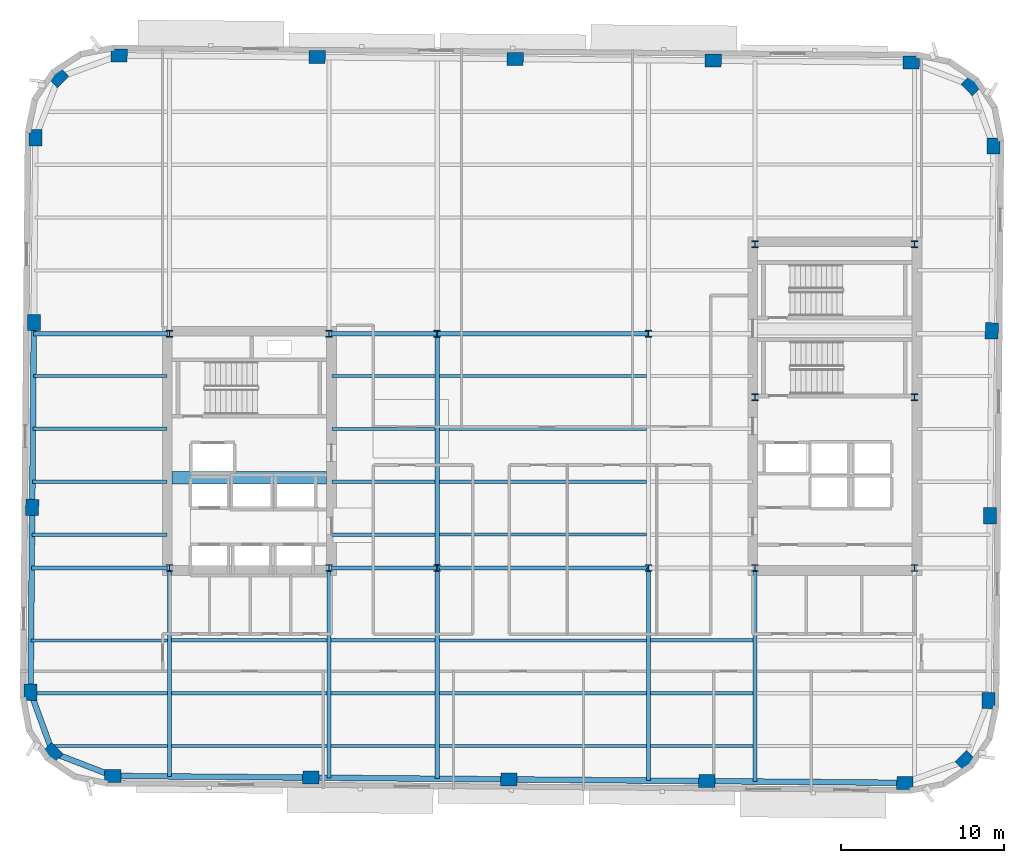
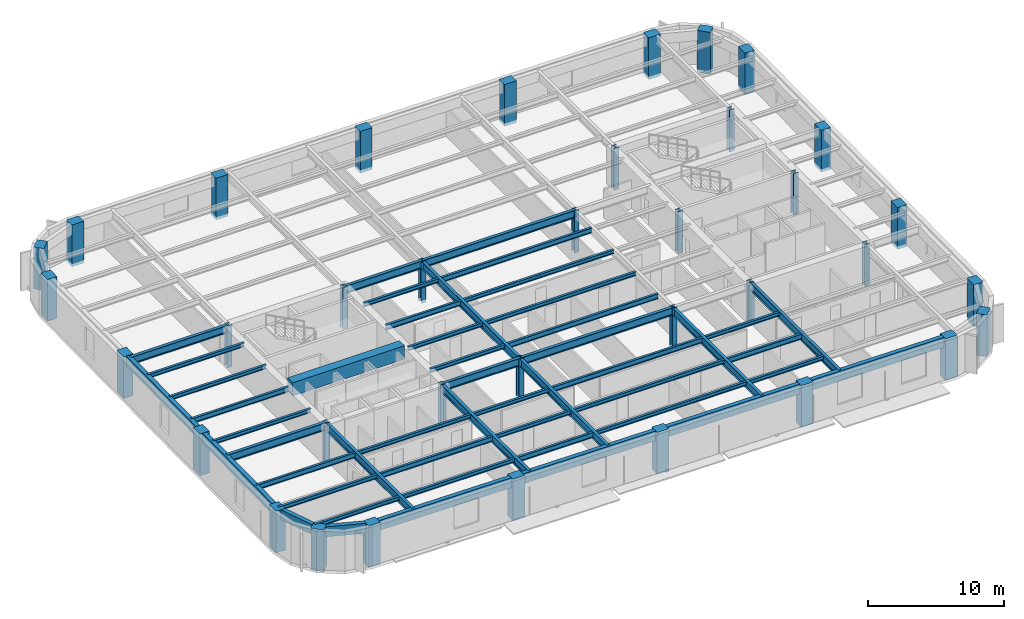
# One storey, part 1 of 12: 48 beams, 36 columns.
"""IFC4 building model written with IfcOpenShell, lengths in metres."""

from ifc_helpers import new_model, si_unit, direction, frame, origin, origin_2d, place, context, subcontext, project, spatial, rectangle, hollow_rectangle, i_section, extrude, material, material_profile, profile_set, type_object, element, save


model = new_model("IFC4")

# Units and contexts
model_context = context("Model", 3, precision=1e-05, world=origin(), true_north=direction((0.0, 1.0)))
body_context = subcontext(model_context, "Body", "Model", "MODEL_VIEW")
ifc_project = project(units=[si_unit("LENGTHUNIT", "METRE"), si_unit("AREAUNIT", "SQUARE_METRE"), si_unit("VOLUMEUNIT", "CUBIC_METRE"), si_unit("PLANEANGLEUNIT", "RADIAN"), si_unit("MASSUNIT", "GRAM", prefix="KILO")], contexts=[model_context])

# Site, building, storey
site_placement = place(None, origin())
site = spatial("IfcSite", under=ifc_project, at=site_placement, CompositionType="ELEMENT")
building_placement = place(site_placement, origin())
building = spatial("IfcBuilding", under=site, at=building_placement, Name="Kolvaren Arena Tower", CompositionType="ELEMENT")
storey_placement = place(building_placement, frame((0.0, 0.0, 199.699951171875)))
storey = spatial("IfcBuildingStorey", under=building, at=storey_placement, Name="L48", CompositionType="ELEMENT", Elevation=199.699951171875)

# Columns
ifc_material_1 = material(Name="Precast concrete C60/75", Category="concrete")
ifc_material_profile_1 = material_profile(ifc_material_1, rectangle(XDim=1.0, YDim=0.800048828125, at=origin_2d()), Name="RC-1000x800")
ifc_profile_set_1 = profile_set([ifc_material_profile_1], Name="Precast concrete C60/75")
column_type_1 = type_object("IfcColumnType", Name="EXCOL-Z3", PredefinedType="COLUMN", material=ifc_profile_set_1)
for number, where, z_axis, x_axis, name in (
    (1, (11.0576171875, 6.663330078125, -0.27001953125), (0.0, 0.0, 1.0), (0.999961923064, -0.008726535498, 0.0), "Exoskeleton Perimeter Column 01 (L48)"),
    (2, (23.232177734375, 6.55712890625, -0.27001953125), (0.0, 0.0, 1.0), (0.999961923064, -0.008726535498, 0.0), "Exoskeleton Perimeter Column 02 (L48)"),
    (3, (35.40673828125, 6.45068359375, -0.27001953125), (0.0, 0.0, 1.0), (0.999961923064, -0.008726535498, 0.0), "Exoskeleton Perimeter Column 03 (L48)"),
    (4, (47.581298828125, 6.344482421875, -0.27001953125), (0.0, 0.0, 1.0), (0.999961923064, -0.008726535498, 0.0), "Exoskeleton Perimeter Column 04 (L48)"),
    (5, (59.755859375, 6.23828125, -0.27001953125), (0.0, 0.0, 1.0), (0.999961923064, -0.008726535498, 0.0), "Exoskeleton Perimeter Column 05 (L48)"),
    (6, (63.4765625, 7.59716796875, -0.27001953125), (0.0, 0.0, 1.0), (0.713250449154, 0.7009092643, 0.0), "Exoskeleton Perimeter Column 06 (L48)"),
    (7, (64.900146484375, 11.293701171875, -0.27001953125), (0.0, 0.0, 1.0), (0.008726535498, 0.999961923064, 0.0), "Exoskeleton Perimeter Column 07 (L48)"),
    (8, (64.999267578125, 22.659912109375, -0.27001953125), (0.0, 0.0, 1.0), (0.008726535498, 0.999961923064, 0.0), "Exoskeleton Perimeter Column 08 (L48)"),
    (9, (65.098388671875, 34.026123046875, -0.27001953125), (0.0, 0.0, 1.0), (0.008726535498, 0.999961923064, 0.0), "Exoskeleton Perimeter Column 09 (L48)"),
    (10, (65.19775390625, 45.392333984375, -0.27001953125), (0.0, 0.0, 1.0), (0.008726535498, 0.999961923064, 0.0), "Exoskeleton Perimeter Column 10 (L48)"),
    (11, (63.8388671875, 49.113037109375, -0.27001953125), (0.0, 0.0, 1.0), (-0.7009092643, 0.713250449154, 0.0), "Exoskeleton Perimeter Column 11 (L48)"),
    (12, (60.142333984375, 50.53662109375, -0.27001953125), (0.0, 0.0, 1.0), (0.999961923064, -0.008726535498, 0.0), "Exoskeleton Perimeter Column 12 (L48)"),
    (13, (47.9677734375, 50.642822265625, -0.27001953125), (0.0, 0.0, 1.0), (0.999961923064, -0.008726535498, 0.0), "Exoskeleton Perimeter Column 13 (L48)"),
    (14, (35.793212890625, 50.749267578125, -0.27001953125), (0.0, 0.0, 1.0), (0.999961923064, -0.008726535498, 0.0), "Exoskeleton Perimeter Column 14 (L48)"),
    (15, (23.618896484375, 50.85546875, -0.27001953125), (0.0, 0.0, 1.0), (0.999961923064, -0.008726535498, 0.0), "Exoskeleton Perimeter Column 15 (L48)"),
    (16, (11.444091796875, 50.961669921875, -0.27001953125), (0.0, 0.0, 1.0), (0.999961923064, -0.008726535498, 0.0), "Exoskeleton Perimeter Column 16 (L48)"),
    (17, (7.723388671875, 49.602783203125, -0.27001953125), (0.0, 0.0, 1.0), (0.713250449154, 0.7009092643, 0.0), "Exoskeleton Perimeter Column 17 (L48)"),
    (18, (6.2998046875, 45.90625, -0.27001953125), (0.0, 0.0, 1.0), (0.008726535498, 0.999961923064, 0.0), "Exoskeleton Perimeter Column 18 (L48)"),
    (19, (6.20068359375, 34.5400390625, -0.27001953125), (0.0, 0.0, 1.0), (0.008726535498, 0.999961923064, 0.0), "Exoskeleton Perimeter Column 19 (L48)"),
    (20, (6.1015625, 23.173828125, -0.27001953125), (0.0, 0.0, 1.0), (0.008726535498, 0.999961923064, 0.0), "Exoskeleton Perimeter Column 20 (L48)"),
    (21, (6.002197265625, 11.8076171875, -0.27001953125), (0.0, 0.0, 1.0), (0.008726535498, 0.999961923064, 0.0), "Exoskeleton Perimeter Column 21 (L48)"),
    (22, (7.361083984375, 8.0869140625, -0.27001953125), (0.0, 0.0, 1.0), (-0.7009092643, 0.713250449154, 0.0), "Exoskeleton Perimeter Column 22 (L48)"),
):
    element("IfcColumn", number, at=place(storey_placement, frame(where, z_axis=z_axis, x_axis=x_axis)), inside=storey, type_object=column_type_1, Name=name, PredefinedType="COLUMN", context=body_context, shape_type="SweptSolid", body=[
        extrude(rectangle(XDim=1.0, YDim=0.800048828125, at=origin_2d()), origin(), (0.0, 0.0, 1.0), 3.75),
    ])
ifc_material_2 = material(Name="Steel ASTM A913 Grade 65", Category="steel")
ifc_material_profile_2 = material_profile(ifc_material_2, i_section(OverallWidth=0.406005859375, OverallDepth=0.416015625, WebThickness=0.02978515625, FlangeThickness=0.048095703125, FilletRadius=0.02001953125, at=origin_2d()), Name="W360x382")
ifc_profile_set_2 = profile_set([ifc_material_profile_2], Name="Steel ASTM A913 Grade 65")
column_type_2 = type_object("IfcColumnType", Name="SCOL-Z3", PredefinedType="COLUMN", material=ifc_profile_set_2)
for number, where, z_axis, x_axis, name in (
    (23, (14.550048828125, 19.449951171875, -0.27001953125), (0.0, 0.0, 1.0), (1.0, 0.0, 0.0), "Core Boundary Column WC-SW (L48)"),
    (24, (24.35009765625, 19.449951171875, -0.27001953125), (0.0, 0.0, 1.0), (1.0, 0.0, 0.0), "Core Boundary Column WC-SE (L48)"),
    (25, (14.550048828125, 33.85009765625, -0.27001953125), (0.0, 0.0, 1.0), (1.0, 0.0, 0.0), "Core Boundary Column WC-NW (L48)"),
    (26, (24.35009765625, 33.85009765625, -0.27001953125), (0.0, 0.0, 1.0), (1.0, 0.0, 0.0), "Core Boundary Column WC-NE (L48)"),
    (27, (50.550048828125, 19.449951171875, -0.27001953125), (0.0, 0.0, 1.0), (1.0, 0.0, 0.0), "Core Boundary Column EC-SW (L48)"),
    (28, (60.35009765625, 19.449951171875, -0.27001953125), (0.0, 0.0, 1.0), (1.0, 0.0, 0.0), "Core Boundary Column EC-SE (L48)"),
    (29, (50.550048828125, 29.949951171875, -0.27001953125), (0.0, 0.0, 1.0), (1.0, 0.0, 0.0), "Core Boundary Column EC-MW (L48)"),
    (30, (60.35009765625, 29.949951171875, -0.27001953125), (0.0, 0.0, 1.0), (1.0, 0.0, 0.0), "Core Boundary Column EC-ME (L48)"),
    (31, (50.550048828125, 39.35009765625, -0.27001953125), (0.0, 0.0, 1.0), (1.0, 0.0, 0.0), "Core Boundary Column EC-NW (L48)"),
    (32, (60.35009765625, 39.35009765625, -0.27001953125), (0.0, 0.0, 1.0), (1.0, 0.0, 0.0), "Core Boundary Column EC-NE (L48)"),
    (33, (31.0, 19.449951171875, -0.27001953125), (0.0, 0.0, 1.0), (1.0, 0.0, 0.0), "Interior Gravity Column TC-SW (L48)"),
    (34, (44.0, 19.449951171875, -0.27001953125), (0.0, 0.0, 1.0), (1.0, 0.0, 0.0), "Interior Gravity Column TC-SE (L48)"),
    (35, (31.0, 33.85009765625, -0.27001953125), (0.0, 0.0, 1.0), (1.0, 0.0, 0.0), "Interior Gravity Column TC-NW (L48)"),
    (36, (44.0, 33.85009765625, -0.27001953125), (0.0, 0.0, 1.0), (1.0, 0.0, 0.0), "Interior Gravity Column TC-NE (L48)"),
):
    element("IfcColumn", number, at=place(storey_placement, frame(where, z_axis=z_axis, x_axis=x_axis)), inside=storey, type_object=column_type_2, Name=name, PredefinedType="COLUMN", context=body_context, shape_type="SweptSolid", body=[
        extrude(i_section(OverallWidth=0.406005859375, OverallDepth=0.416015625, WebThickness=0.02978515625, FlangeThickness=0.048095703125, FilletRadius=0.02001953125, at=origin_2d()), origin(), (0.0, 0.0, 1.0), 3.75),
    ])

# Beams
ifc_material_3 = material(Name="Steel CSA G40.21 350W", Category="steel")
ifc_material_profile_3 = material_profile(ifc_material_3, i_section(OverallWidth=0.193115234375, OverallDepth=0.462890625, WebThickness=0.0107421875, FlangeThickness=0.0205078125, FilletRadius=0.012939453125, at=origin_2d()), Name="W460x113")
ifc_profile_set_3 = profile_set([ifc_material_profile_3], Name="Steel CSA G40.21 350W")
beam_type_1 = type_object("IfcBeamType", Name="BEAM-F2", PredefinedType="BEAM", material=ifc_profile_set_3)
beam_1_placement = place(storey_placement, frame((24.4775390625, 8.5, 3.24853515625), z_axis=(1.0, 0.0, 0.0), x_axis=(0.0, 1.0, 0.0)))
element("IfcBeam", 37, at=beam_1_placement, inside=storey, type_object=beam_type_1, Name="Composite Floor Beam (L48)", PredefinedType="BEAM", context=body_context, shape_type="SweptSolid", body=[
    extrude(i_section(OverallWidth=0.193115234375, OverallDepth=0.462890625, WebThickness=0.0107421875, FlangeThickness=0.0205078125, FilletRadius=0.012939453125, at=origin_2d()), origin(), (0.0, 0.0, 1.0), 6.39501953125),
])
beam_2_placement = place(storey_placement, frame((14.677490234375, 11.75, 3.24853515625), z_axis=(1.0, 0.0, 0.0), x_axis=(0.0, 1.0, 0.0)))
element("IfcBeam", 38, at=beam_2_placement, inside=storey, type_object=beam_type_1, Name="Composite Floor Beam (L48)", PredefinedType="BEAM", context=body_context, shape_type="SweptSolid", body=[
    extrude(i_section(OverallWidth=0.193115234375, OverallDepth=0.462890625, WebThickness=0.0107421875, FlangeThickness=0.0205078125, FilletRadius=0.012939453125, at=origin_2d()), origin(), (0.0, 0.0, 1.0), 9.544921875),
])
beam_3_placement = place(storey_placement, frame((44.12744140625, 11.75, 3.24853515625), z_axis=(1.0, 0.0, 0.0), x_axis=(0.0, 1.0, 0.0)))
element("IfcBeam", 39, at=beam_3_placement, inside=storey, type_object=beam_type_1, Name="Composite Floor Beam (L48)", PredefinedType="BEAM", context=body_context, shape_type="SweptSolid", body=[
    extrude(i_section(OverallWidth=0.193115234375, OverallDepth=0.462890625, WebThickness=0.0107421875, FlangeThickness=0.0205078125, FilletRadius=0.012939453125, at=origin_2d()), origin(), (0.0, 0.0, 1.0), 6.295166015625),
])
beam_4_placement = place(storey_placement, frame((6.0302734375, 15.0, 3.24853515625), z_axis=(1.0, 0.0, 0.0), x_axis=(0.0, 1.0, 0.0)))
element("IfcBeam", 40, at=beam_4_placement, inside=storey, type_object=beam_type_1, Name="Composite Floor Beam (L48)", PredefinedType="BEAM", context=body_context, shape_type="SweptSolid", body=[
    extrude(i_section(OverallWidth=0.193115234375, OverallDepth=0.462890625, WebThickness=0.0107421875, FlangeThickness=0.0205078125, FilletRadius=0.012939453125, at=origin_2d()), origin(), (0.0, 0.0, 1.0), 8.392333984375),
])
for number, where, z_axis, x_axis, name in (
    (41, (31.12744140625, 15.0, 3.24853515625), (1.0, 0.0, 0.0), (0.0, 1.0, 0.0), "Composite Floor Beam (L48)"),
    (42, (31.12744140625, 21.5, 3.24853515625), (1.0, 0.0, 0.0), (0.0, 1.0, 0.0), "Composite Floor Beam (L48)"),
):
    element("IfcBeam", number, at=place(storey_placement, frame(where, z_axis=z_axis, x_axis=x_axis)), inside=storey, type_object=beam_type_1, Name=name, PredefinedType="BEAM", context=body_context, shape_type="SweptSolid", body=[
        extrude(i_section(OverallWidth=0.193115234375, OverallDepth=0.462890625, WebThickness=0.0107421875, FlangeThickness=0.0205078125, FilletRadius=0.012939453125, at=origin_2d()), origin(), (0.0, 0.0, 1.0), 12.7451171875),
    ])
beam_5_placement = place(storey_placement, frame((6.115234375, 24.75, 3.24853515625), z_axis=(1.0, 0.0, 0.0), x_axis=(0.0, 1.0, 0.0)))
element("IfcBeam", 43, at=beam_5_placement, inside=storey, type_object=beam_type_1, Name="Composite Floor Beam (L48)", PredefinedType="BEAM", context=body_context, shape_type="SweptSolid", body=[
    extrude(i_section(OverallWidth=0.193115234375, OverallDepth=0.462890625, WebThickness=0.0107421875, FlangeThickness=0.0205078125, FilletRadius=0.012939453125, at=origin_2d()), origin(), (0.0, 0.0, 1.0), 8.2646484375),
])
beam_6_placement = place(storey_placement, frame((24.52001953125, 28.0, 3.24853515625), z_axis=(1.0, 0.0, 0.0), x_axis=(0.0, 1.0, 0.0)))
element("IfcBeam", 44, at=beam_6_placement, inside=storey, type_object=beam_type_1, Name="Composite Floor Beam (L48)", PredefinedType="BEAM", context=body_context, shape_type="SweptSolid", body=[
    extrude(i_section(OverallWidth=0.193115234375, OverallDepth=0.462890625, WebThickness=0.0107421875, FlangeThickness=0.0205078125, FilletRadius=0.012939453125, at=origin_2d()), origin(), (0.0, 0.0, 1.0), 6.3525390625),
])
beam_7_placement = place(storey_placement, frame((31.12744140625, 31.25, 3.24853515625), z_axis=(1.0, 0.0, 0.0), x_axis=(0.0, 1.0, 0.0)))
element("IfcBeam", 45, at=beam_7_placement, inside=storey, type_object=beam_type_1, Name="Composite Floor Beam (L48)", PredefinedType="BEAM", context=body_context, shape_type="SweptSolid", body=[
    extrude(i_section(OverallWidth=0.193115234375, OverallDepth=0.462890625, WebThickness=0.0107421875, FlangeThickness=0.0205078125, FilletRadius=0.012939453125, at=origin_2d()), origin(), (0.0, 0.0, 1.0), 12.7451171875),
])
ifc_material_4 = material(Name="Concrete 60 MPa", Category="concrete")
ifc_material_profile_4 = material_profile(ifc_material_4, rectangle(XDim=0.75, YDim=1.199951171875, at=origin_2d()), Name="RC-750x1200")
ifc_profile_set_4 = profile_set([ifc_material_profile_4], Name="Concrete 60 MPa")
beam_type_2 = type_object("IfcBeamType", Name="CB-CORE-2", PredefinedType="BEAM", material=ifc_profile_set_4)
beam_8_placement = place(storey_placement, frame((14.699951171875, 25.0, 3.150146484375), z_axis=(1.0, 0.0, 0.0), x_axis=(0.0, 1.0, 0.0)))
element("IfcBeam", 46, at=beam_8_placement, inside=storey, type_object=beam_type_2, Name="West Core Coupling Beam (L48)", PredefinedType="BEAM", context=body_context, shape_type="SweptSolid", body=[
    extrude(rectangle(XDim=0.75, YDim=1.199951171875, at=origin_2d()), origin(), (0.0, 0.0, 1.0), 9.5),
])
ifc_material_profile_5 = material_profile(ifc_material_3, i_section(OverallWidth=0.2548828125, OverallDepth=0.695068359375, WebThickness=0.01708984375, FlangeThickness=0.02978515625, FilletRadius=0.01611328125, at=origin_2d()), Name="W690x217")
ifc_profile_set_5 = profile_set([ifc_material_profile_5], Name="Steel CSA G40.21 350W")
beam_type_3 = type_object("IfcBeamType", Name="GIRD-T2", PredefinedType="BEAM", material=ifc_profile_set_5)
beam_9_placement = place(storey_placement, frame((6.069091796875, 19.449951171875, 3.132568359375), z_axis=(1.0, 0.0, 0.0), x_axis=(0.0, 1.0, 0.0)))
element("IfcBeam", 47, at=beam_9_placement, inside=storey, type_object=beam_type_3, Name="Primary Floor Girder (L48)", PredefinedType="BEAM", context=body_context, shape_type="SweptSolid", body=[
    extrude(i_section(OverallWidth=0.2548828125, OverallDepth=0.695068359375, WebThickness=0.01708984375, FlangeThickness=0.02978515625, FilletRadius=0.01611328125, at=origin_2d()), origin(), (0.0, 0.0, 1.0), 8.350830078125),
])
beam_10_placement = place(storey_placement, frame((24.47998046875, 19.449951171875, 3.132568359375), z_axis=(1.0, 0.0, 0.0), x_axis=(0.0, 1.0, 0.0)))
element("IfcBeam", 48, at=beam_10_placement, inside=storey, type_object=beam_type_3, Name="Primary Floor Girder (L48)", PredefinedType="BEAM", context=body_context, shape_type="SweptSolid", body=[
    extrude(i_section(OverallWidth=0.2548828125, OverallDepth=0.695068359375, WebThickness=0.01708984375, FlangeThickness=0.02978515625, FilletRadius=0.01611328125, at=origin_2d()), origin(), (0.0, 0.0, 1.0), 6.52001953125),
])
beam_11_placement = place(storey_placement, frame((31.0, 19.449951171875, 3.132568359375), z_axis=(1.0, 0.0, 0.0), x_axis=(0.0, 1.0, 0.0)))
element("IfcBeam", 49, at=beam_11_placement, inside=storey, type_object=beam_type_3, Name="Primary Floor Girder (L48)", PredefinedType="BEAM", context=body_context, shape_type="SweptSolid", body=[
    extrude(i_section(OverallWidth=0.2548828125, OverallDepth=0.695068359375, WebThickness=0.01708984375, FlangeThickness=0.02978515625, FilletRadius=0.01611328125, at=origin_2d()), origin(), (0.0, 0.0, 1.0), 13.0),
])
beam_12_placement = place(storey_placement, frame((6.194580078125, 33.85009765625, 3.132568359375), z_axis=(1.0, 0.0, 0.0), x_axis=(0.0, 1.0, 0.0)))
element("IfcBeam", 50, at=beam_12_placement, inside=storey, type_object=beam_type_3, Name="Primary Floor Girder (L48)", PredefinedType="BEAM", context=body_context, shape_type="SweptSolid", body=[
    extrude(i_section(OverallWidth=0.2548828125, OverallDepth=0.695068359375, WebThickness=0.01708984375, FlangeThickness=0.02978515625, FilletRadius=0.01611328125, at=origin_2d()), origin(), (0.0, 0.0, 1.0), 8.225341796875),
])
beam_13_placement = place(storey_placement, frame((24.47998046875, 33.85009765625, 3.132568359375), z_axis=(1.0, 0.0, 0.0), x_axis=(0.0, 1.0, 0.0)))
element("IfcBeam", 51, at=beam_13_placement, inside=storey, type_object=beam_type_3, Name="Primary Floor Girder (L48)", PredefinedType="BEAM", context=body_context, shape_type="SweptSolid", body=[
    extrude(i_section(OverallWidth=0.2548828125, OverallDepth=0.695068359375, WebThickness=0.01708984375, FlangeThickness=0.02978515625, FilletRadius=0.01611328125, at=origin_2d()), origin(), (0.0, 0.0, 1.0), 6.52001953125),
])
beam_14_placement = place(storey_placement, frame((31.0, 33.85009765625, 3.132568359375), z_axis=(1.0, 0.0, 0.0), x_axis=(0.0, 1.0, 0.0)))
element("IfcBeam", 52, at=beam_14_placement, inside=storey, type_object=beam_type_3, Name="Primary Floor Girder (L48)", PredefinedType="BEAM", context=body_context, shape_type="SweptSolid", body=[
    extrude(i_section(OverallWidth=0.2548828125, OverallDepth=0.695068359375, WebThickness=0.01708984375, FlangeThickness=0.02978515625, FilletRadius=0.01611328125, at=origin_2d()), origin(), (0.0, 0.0, 1.0), 13.0),
])
beam_15_placement = place(storey_placement, frame((14.550048828125, 6.6328125, 3.132568359375), z_axis=(0.0, 1.0, 0.0), x_axis=(-1.0, 0.0, 0.0)))
element("IfcBeam", 53, at=beam_15_placement, inside=storey, type_object=beam_type_3, Name="Primary Floor Girder (L48)", PredefinedType="BEAM", context=body_context, shape_type="SweptSolid", body=[
    extrude(i_section(OverallWidth=0.2548828125, OverallDepth=0.695068359375, WebThickness=0.01708984375, FlangeThickness=0.02978515625, FilletRadius=0.01611328125, at=origin_2d()), origin(), (0.0, 0.0, 1.0), 12.687255859375),
])
beam_16_placement = place(storey_placement, frame((24.35009765625, 6.54736328125, 3.132568359375), z_axis=(0.0, 1.0, 0.0), x_axis=(-1.0, 0.0, 0.0)))
element("IfcBeam", 54, at=beam_16_placement, inside=storey, type_object=beam_type_3, Name="Primary Floor Girder (L48)", PredefinedType="BEAM", context=body_context, shape_type="SweptSolid", body=[
    extrude(i_section(OverallWidth=0.2548828125, OverallDepth=0.695068359375, WebThickness=0.01708984375, FlangeThickness=0.02978515625, FilletRadius=0.01611328125, at=origin_2d()), origin(), (0.0, 0.0, 1.0), 12.772705078125),
])
beam_17_placement = place(storey_placement, frame((31.0, 6.4892578125, 3.132568359375), z_axis=(0.0, 1.0, 0.0), x_axis=(-1.0, 0.0, 0.0)))
element("IfcBeam", 55, at=beam_17_placement, inside=storey, type_object=beam_type_3, Name="Primary Floor Girder (L48)", PredefinedType="BEAM", context=body_context, shape_type="SweptSolid", body=[
    extrude(i_section(OverallWidth=0.2548828125, OverallDepth=0.695068359375, WebThickness=0.01708984375, FlangeThickness=0.02978515625, FilletRadius=0.01611328125, at=origin_2d()), origin(), (0.0, 0.0, 1.0), 12.960693359375),
])
beam_18_placement = place(storey_placement, frame((31.0, 19.449951171875, 3.132568359375), z_axis=(0.0, 1.0, 0.0), x_axis=(-1.0, 0.0, 0.0)))
element("IfcBeam", 56, at=beam_18_placement, inside=storey, type_object=beam_type_3, Name="Primary Floor Girder (L48)", PredefinedType="BEAM", context=body_context, shape_type="SweptSolid", body=[
    extrude(i_section(OverallWidth=0.2548828125, OverallDepth=0.695068359375, WebThickness=0.01708984375, FlangeThickness=0.02978515625, FilletRadius=0.01611328125, at=origin_2d()), origin(), (0.0, 0.0, 1.0), 14.400146484375),
])
beam_19_placement = place(storey_placement, frame((44.0, 6.375732421875, 3.132568359375), z_axis=(0.0, 1.0, 0.0), x_axis=(-1.0, 0.0, 0.0)))
element("IfcBeam", 57, at=beam_19_placement, inside=storey, type_object=beam_type_3, Name="Primary Floor Girder (L48)", PredefinedType="BEAM", context=body_context, shape_type="SweptSolid", body=[
    extrude(i_section(OverallWidth=0.2548828125, OverallDepth=0.695068359375, WebThickness=0.01708984375, FlangeThickness=0.02978515625, FilletRadius=0.01611328125, at=origin_2d()), origin(), (0.0, 0.0, 1.0), 13.07421875),
])
beam_20_placement = place(storey_placement, frame((50.550048828125, 6.318603515625, 3.132568359375), z_axis=(0.0, 1.0, 0.0), x_axis=(-1.0, 0.0, 0.0)))
element("IfcBeam", 58, at=beam_20_placement, inside=storey, type_object=beam_type_3, Name="Primary Floor Girder (L48)", PredefinedType="BEAM", context=body_context, shape_type="SweptSolid", body=[
    extrude(i_section(OverallWidth=0.2548828125, OverallDepth=0.695068359375, WebThickness=0.01708984375, FlangeThickness=0.02978515625, FilletRadius=0.01611328125, at=origin_2d()), origin(), (0.0, 0.0, 1.0), 13.00146484375),
])
ifc_material_profile_6 = material_profile(ifc_material_3, i_section(OverallWidth=0.202880859375, OverallDepth=0.346923828125, WebThickness=0.0078125, FlangeThickness=0.013427734375, FilletRadius=0.010986328125, at=origin_2d()), Name="W360x64")
ifc_profile_set_6 = profile_set([ifc_material_profile_6], Name="Steel CSA G40.21 350W")
beam_type_4 = type_object("IfcBeamType", Name="JOIST-01", PredefinedType="JOIST", material=ifc_profile_set_6)
beam_21_placement = place(storey_placement, frame((7.210205078125, 8.5, 3.306640625), z_axis=(1.0, 0.0, 0.0), x_axis=(0.0, 1.0, 0.0)))
element("IfcBeam", 59, at=beam_21_placement, inside=storey, type_object=beam_type_4, Name="Composite Floor Joist (L48)", PredefinedType="JOIST", context=body_context, shape_type="SweptSolid", body=[
    extrude(i_section(OverallWidth=0.202880859375, OverallDepth=0.346923828125, WebThickness=0.0078125, FlangeThickness=0.013427734375, FilletRadius=0.010986328125, at=origin_2d()), origin(), (0.0, 0.0, 1.0), 7.21240234375),
])
beam_22_placement = place(storey_placement, frame((14.677490234375, 8.5, 3.306640625), z_axis=(1.0, 0.0, 0.0), x_axis=(0.0, 1.0, 0.0)))
element("IfcBeam", 60, at=beam_22_placement, inside=storey, type_object=beam_type_4, Name="Composite Floor Joist (L48)", PredefinedType="JOIST", context=body_context, shape_type="SweptSolid", body=[
    extrude(i_section(OverallWidth=0.202880859375, OverallDepth=0.346923828125, WebThickness=0.0078125, FlangeThickness=0.013427734375, FilletRadius=0.010986328125, at=origin_2d()), origin(), (0.0, 0.0, 1.0), 9.544921875),
])
beam_23_placement = place(storey_placement, frame((31.12744140625, 8.5, 3.306640625), z_axis=(1.0, 0.0, 0.0), x_axis=(0.0, 1.0, 0.0)))
element("IfcBeam", 61, at=beam_23_placement, inside=storey, type_object=beam_type_4, Name="Composite Floor Joist (L48)", PredefinedType="JOIST", context=body_context, shape_type="SweptSolid", body=[
    extrude(i_section(OverallWidth=0.202880859375, OverallDepth=0.346923828125, WebThickness=0.0078125, FlangeThickness=0.013427734375, FilletRadius=0.010986328125, at=origin_2d()), origin(), (0.0, 0.0, 1.0), 12.7451171875),
])
beam_24_placement = place(storey_placement, frame((44.12744140625, 8.5, 3.306640625), z_axis=(1.0, 0.0, 0.0), x_axis=(0.0, 1.0, 0.0)))
element("IfcBeam", 62, at=beam_24_placement, inside=storey, type_object=beam_type_4, Name="Composite Floor Joist (L48)", PredefinedType="JOIST", context=body_context, shape_type="SweptSolid", body=[
    extrude(i_section(OverallWidth=0.202880859375, OverallDepth=0.346923828125, WebThickness=0.0078125, FlangeThickness=0.013427734375, FilletRadius=0.010986328125, at=origin_2d()), origin(), (0.0, 0.0, 1.0), 6.295166015625),
])
beam_25_placement = place(storey_placement, frame((6.023193359375, 11.75, 3.306640625), z_axis=(1.0, 0.0, 0.0), x_axis=(0.0, 1.0, 0.0)))
element("IfcBeam", 63, at=beam_25_placement, inside=storey, type_object=beam_type_4, Name="Composite Floor Joist (L48)", PredefinedType="JOIST", context=body_context, shape_type="SweptSolid", body=[
    extrude(i_section(OverallWidth=0.202880859375, OverallDepth=0.346923828125, WebThickness=0.0078125, FlangeThickness=0.013427734375, FilletRadius=0.010986328125, at=origin_2d()), origin(), (0.0, 0.0, 1.0), 8.3994140625),
])
beam_26_placement = place(storey_placement, frame((24.4775390625, 11.75, 3.306640625), z_axis=(1.0, 0.0, 0.0), x_axis=(0.0, 1.0, 0.0)))
element("IfcBeam", 64, at=beam_26_placement, inside=storey, type_object=beam_type_4, Name="Composite Floor Joist (L48)", PredefinedType="JOIST", context=body_context, shape_type="SweptSolid", body=[
    extrude(i_section(OverallWidth=0.202880859375, OverallDepth=0.346923828125, WebThickness=0.0078125, FlangeThickness=0.013427734375, FilletRadius=0.010986328125, at=origin_2d()), origin(), (0.0, 0.0, 1.0), 6.39501953125),
])
beam_27_placement = place(storey_placement, frame((31.12744140625, 11.75, 3.306640625), z_axis=(1.0, 0.0, 0.0), x_axis=(0.0, 1.0, 0.0)))
element("IfcBeam", 65, at=beam_27_placement, inside=storey, type_object=beam_type_4, Name="Composite Floor Joist (L48)", PredefinedType="JOIST", context=body_context, shape_type="SweptSolid", body=[
    extrude(i_section(OverallWidth=0.202880859375, OverallDepth=0.346923828125, WebThickness=0.0078125, FlangeThickness=0.013427734375, FilletRadius=0.010986328125, at=origin_2d()), origin(), (0.0, 0.0, 1.0), 12.7451171875),
])
beam_28_placement = place(storey_placement, frame((14.677490234375, 15.0, 3.306640625), z_axis=(1.0, 0.0, 0.0), x_axis=(0.0, 1.0, 0.0)))
element("IfcBeam", 66, at=beam_28_placement, inside=storey, type_object=beam_type_4, Name="Composite Floor Joist (L48)", PredefinedType="JOIST", context=body_context, shape_type="SweptSolid", body=[
    extrude(i_section(OverallWidth=0.202880859375, OverallDepth=0.346923828125, WebThickness=0.0078125, FlangeThickness=0.013427734375, FilletRadius=0.010986328125, at=origin_2d()), origin(), (0.0, 0.0, 1.0), 9.544921875),
])
beam_29_placement = place(storey_placement, frame((24.4775390625, 15.0, 3.306640625), z_axis=(1.0, 0.0, 0.0), x_axis=(0.0, 1.0, 0.0)))
element("IfcBeam", 67, at=beam_29_placement, inside=storey, type_object=beam_type_4, Name="Composite Floor Joist (L48)", PredefinedType="JOIST", context=body_context, shape_type="SweptSolid", body=[
    extrude(i_section(OverallWidth=0.202880859375, OverallDepth=0.346923828125, WebThickness=0.0078125, FlangeThickness=0.013427734375, FilletRadius=0.010986328125, at=origin_2d()), origin(), (0.0, 0.0, 1.0), 6.39501953125),
])
beam_30_placement = place(storey_placement, frame((44.12744140625, 15.0, 3.306640625), z_axis=(1.0, 0.0, 0.0), x_axis=(0.0, 1.0, 0.0)))
element("IfcBeam", 68, at=beam_30_placement, inside=storey, type_object=beam_type_4, Name="Composite Floor Joist (L48)", PredefinedType="JOIST", context=body_context, shape_type="SweptSolid", body=[
    extrude(i_section(OverallWidth=0.202880859375, OverallDepth=0.346923828125, WebThickness=0.0078125, FlangeThickness=0.013427734375, FilletRadius=0.010986328125, at=origin_2d()), origin(), (0.0, 0.0, 1.0), 6.295166015625),
])
beam_31_placement = place(storey_placement, frame((6.0869140625, 21.5, 3.306640625), z_axis=(1.0, 0.0, 0.0), x_axis=(0.0, 1.0, 0.0)))
element("IfcBeam", 69, at=beam_31_placement, inside=storey, type_object=beam_type_4, Name="Composite Floor Joist (L48)", PredefinedType="JOIST", context=body_context, shape_type="SweptSolid", body=[
    extrude(i_section(OverallWidth=0.202880859375, OverallDepth=0.346923828125, WebThickness=0.0078125, FlangeThickness=0.013427734375, FilletRadius=0.010986328125, at=origin_2d()), origin(), (0.0, 0.0, 1.0), 8.29296875),
])
for number, where, z_axis, x_axis, name in (
    (70, (24.52001953125, 21.5, 3.306640625), (1.0, 0.0, 0.0), (0.0, 1.0, 0.0), "Composite Floor Joist (L48)"),
    (71, (24.52001953125, 24.75, 3.306640625), (1.0, 0.0, 0.0), (0.0, 1.0, 0.0), "Composite Floor Joist (L48)"),
):
    element("IfcBeam", number, at=place(storey_placement, frame(where, z_axis=z_axis, x_axis=x_axis)), inside=storey, type_object=beam_type_4, Name=name, PredefinedType="JOIST", context=body_context, shape_type="SweptSolid", body=[
        extrude(i_section(OverallWidth=0.202880859375, OverallDepth=0.346923828125, WebThickness=0.0078125, FlangeThickness=0.013427734375, FilletRadius=0.010986328125, at=origin_2d()), origin(), (0.0, 0.0, 1.0), 6.3525390625),
    ])
beam_32_placement = place(storey_placement, frame((31.12744140625, 24.75, 3.306640625), z_axis=(1.0, 0.0, 0.0), x_axis=(0.0, 1.0, 0.0)))
element("IfcBeam", 72, at=beam_32_placement, inside=storey, type_object=beam_type_4, Name="Composite Floor Joist (L48)", PredefinedType="JOIST", context=body_context, shape_type="SweptSolid", body=[
    extrude(i_section(OverallWidth=0.202880859375, OverallDepth=0.346923828125, WebThickness=0.0078125, FlangeThickness=0.013427734375, FilletRadius=0.010986328125, at=origin_2d()), origin(), (0.0, 0.0, 1.0), 12.7451171875),
])
beam_33_placement = place(storey_placement, frame((6.1435546875, 28.0, 3.306640625), z_axis=(1.0, 0.0, 0.0), x_axis=(0.0, 1.0, 0.0)))
element("IfcBeam", 73, at=beam_33_placement, inside=storey, type_object=beam_type_4, Name="Composite Floor Joist (L48)", PredefinedType="JOIST", context=body_context, shape_type="SweptSolid", body=[
    extrude(i_section(OverallWidth=0.202880859375, OverallDepth=0.346923828125, WebThickness=0.0078125, FlangeThickness=0.013427734375, FilletRadius=0.010986328125, at=origin_2d()), origin(), (0.0, 0.0, 1.0), 8.236328125),
])
beam_34_placement = place(storey_placement, frame((31.12744140625, 28.0, 3.306640625), z_axis=(1.0, 0.0, 0.0), x_axis=(0.0, 1.0, 0.0)))
element("IfcBeam", 74, at=beam_34_placement, inside=storey, type_object=beam_type_4, Name="Composite Floor Joist (L48)", PredefinedType="JOIST", context=body_context, shape_type="SweptSolid", body=[
    extrude(i_section(OverallWidth=0.202880859375, OverallDepth=0.346923828125, WebThickness=0.0078125, FlangeThickness=0.013427734375, FilletRadius=0.010986328125, at=origin_2d()), origin(), (0.0, 0.0, 1.0), 12.7451171875),
])
beam_35_placement = place(storey_placement, frame((6.172119140625, 31.25, 3.306640625), z_axis=(1.0, 0.0, 0.0), x_axis=(0.0, 1.0, 0.0)))
element("IfcBeam", 75, at=beam_35_placement, inside=storey, type_object=beam_type_4, Name="Composite Floor Joist (L48)", PredefinedType="JOIST", context=body_context, shape_type="SweptSolid", body=[
    extrude(i_section(OverallWidth=0.202880859375, OverallDepth=0.346923828125, WebThickness=0.0078125, FlangeThickness=0.013427734375, FilletRadius=0.010986328125, at=origin_2d()), origin(), (0.0, 0.0, 1.0), 8.207763671875),
])
beam_36_placement = place(storey_placement, frame((24.52001953125, 31.25, 3.306640625), z_axis=(1.0, 0.0, 0.0), x_axis=(0.0, 1.0, 0.0)))
element("IfcBeam", 76, at=beam_36_placement, inside=storey, type_object=beam_type_4, Name="Composite Floor Joist (L48)", PredefinedType="JOIST", context=body_context, shape_type="SweptSolid", body=[
    extrude(i_section(OverallWidth=0.202880859375, OverallDepth=0.346923828125, WebThickness=0.0078125, FlangeThickness=0.013427734375, FilletRadius=0.010986328125, at=origin_2d()), origin(), (0.0, 0.0, 1.0), 6.3525390625),
])
ifc_material_5 = material(Name="Steel CSA G40.21 350WT", Category="steel")
ifc_material_profile_7 = material_profile(ifc_material_5, hollow_rectangle(XDim=0.35009765625, YDim=0.89990234375, WallThickness=0.02001953125, at=origin_2d()), Name="HSS 900x350x20")
ifc_profile_set_7 = profile_set([ifc_material_profile_7], Name="Steel CSA G40.21 350WT")
beam_type_5 = type_object("IfcBeamType", Name="SPAND-01", PredefinedType="SPANDREL", material=ifc_profile_set_7)
for number, where, z_axis, x_axis, name in (
    (77, (11.0576171875, 6.663330078125, 3.030029296875), (0.99996195503, -0.008722871848, 0.0), (0.008722871848, 0.99996195503, 0.0), "Perimeter Spandrel Beam (L48)"),
    (78, (23.232177734375, 6.55712890625, 3.030029296875), (0.999961779919, -0.008742922896, 0.0), (0.008742922896, 0.999961779919, 0.0), "Perimeter Spandrel Beam (L48)"),
    (79, (35.40673828125, 6.45068359375, 3.030029296875), (0.99996195503, -0.008722871848, 0.0), (0.008722871848, 0.99996195503, 0.0), "Perimeter Spandrel Beam (L48)"),
    (80, (47.581298828125, 6.344482421875, 3.030029296875), (0.99996195503, -0.008722871848, 0.0), (0.008722871848, 0.99996195503, 0.0), "Perimeter Spandrel Beam (L48)"),
):
    element("IfcBeam", number, at=place(storey_placement, frame(where, z_axis=z_axis, x_axis=x_axis)), inside=storey, type_object=beam_type_5, Name=name, PredefinedType="SPANDREL", context=body_context, shape_type="SweptSolid", body=[
        extrude(hollow_rectangle(XDim=0.35009765625, YDim=0.89990234375, WallThickness=0.02001953125, at=origin_2d()), origin(), (0.0, 0.0, 1.0), 12.175048828125),
    ])
for number, where, z_axis, x_axis, name in (
    (81, (6.20068359375, 34.5400390625, 3.030029296875), (-0.008720348885, -0.999961977035, 0.0), (0.999961977035, -0.008720348885, 0.0), "Perimeter Spandrel Beam (L48)"),
    (82, (6.1015625, 23.173828125, 3.030029296875), (-0.008741825937, -0.99996178951, 0.0), (0.99996178951, -0.008741825937, 0.0), "Perimeter Spandrel Beam (L48)"),
):
    element("IfcBeam", number, at=place(storey_placement, frame(where, z_axis=z_axis, x_axis=x_axis)), inside=storey, type_object=beam_type_5, Name=name, PredefinedType="SPANDREL", context=body_context, shape_type="SweptSolid", body=[
        extrude(hollow_rectangle(XDim=0.35009765625, YDim=0.89990234375, WallThickness=0.02001953125, at=origin_2d()), origin(), (0.0, 0.0, 1.0), 11.36669921875),
    ])
for number, where, z_axis, x_axis, name in (
    (83, (6.002197265625, 11.8076171875, 3.030029296875), (0.343059102458, -0.939313819882, 0.0), (0.939313819882, 0.343059102458, 0.0), "Perimeter Spandrel Beam (L48)"),
    (84, (7.361083984375, 8.0869140625, 3.030029296875), (0.933189846698, -0.359383792094, 0.0), (0.359383792094, 0.933189846698, 0.0), "Perimeter Spandrel Beam (L48)"),
):
    element("IfcBeam", number, at=place(storey_placement, frame(where, z_axis=z_axis, x_axis=x_axis)), inside=storey, type_object=beam_type_5, Name=name, PredefinedType="SPANDREL", context=body_context, shape_type="SweptSolid", body=[
        extrude(hollow_rectangle(XDim=0.35009765625, YDim=0.89990234375, WallThickness=0.02001953125, at=origin_2d()), origin(), (0.0, 0.0, 1.0), 3.961181640625),
    ])

save(model, "model.ifc")
